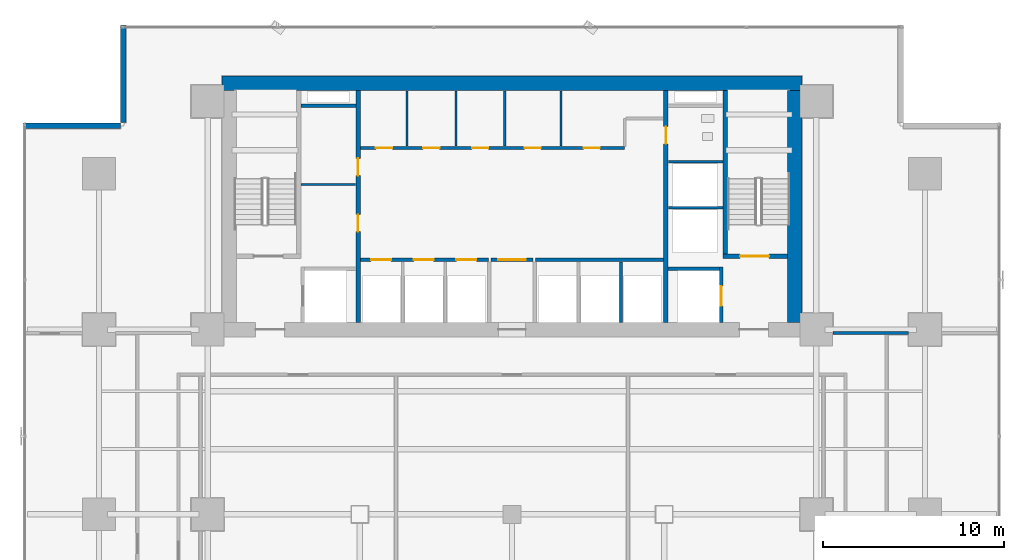
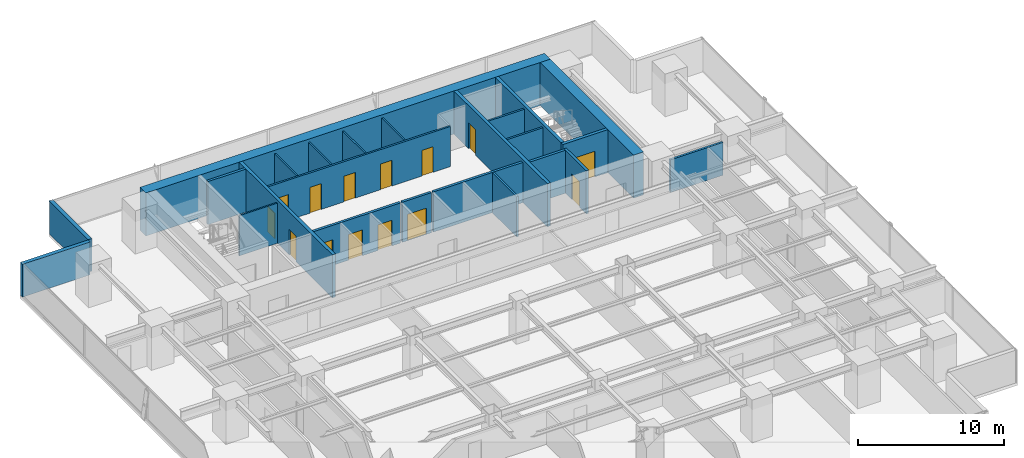
# One storey, part 26 of 34: 24 walls, 14 doors, 14 openings.
"""IFC4 building model written with IfcOpenShell, lengths in metres."""

from ifc_helpers import new_model, si_unit, direction, frame, frame_2d, origin, place, context, subcontext, project, spatial, rectangle, extrude, source, transform, mapped, material, layer, layer_set, type_object, element, fill, save


model = new_model("IFC4")

# Units and contexts
model_context = context("Model", 3, precision=1e-05, world=origin(), true_north=direction((0.0, 1.0)))
body_context = subcontext(model_context, "Body", "Model", "MODEL_VIEW")
ifc_project = project(units=[si_unit("LENGTHUNIT", "METRE"), si_unit("AREAUNIT", "SQUARE_METRE"), si_unit("VOLUMEUNIT", "CUBIC_METRE"), si_unit("PLANEANGLEUNIT", "RADIAN"), si_unit("MASSUNIT", "GRAM", prefix="KILO")], contexts=[model_context])

# Site, building, storey
site_placement = place(None, origin())
site = spatial("IfcSite", under=ifc_project, at=site_placement, CompositionType="ELEMENT")
building_placement = place(site_placement, origin())
building = spatial("IfcBuilding", under=site, at=building_placement, Name="Sumidabori Civic Tower", CompositionType="ELEMENT")
storey_placement = place(building_placement, frame((0.0, 0.0, 56.0)))
storey = spatial("IfcBuildingStorey", under=building, at=storey_placement, Name="L14", CompositionType="ELEMENT", Elevation=56.0)

# Walls
ifc_material_1 = material(Name="Concrete C60/75", Category="concrete")
ifc_layer_1 = layer(ifc_material_1, 0.800048828125, Name="Concrete C60/75")
ifc_layer_set_1 = layer_set([ifc_layer_1], Name="Concrete C60/75")
wall_type_1 = type_object("IfcWallType", Name="WL-CORE-800", PredefinedType="SHEAR", material=ifc_layer_set_1)
shared_shape_1 = source(origin(), body_context, "Body", "SweptSolid", [
    extrude(rectangle(XDim=32.0, YDim=0.800048828125, at=frame_2d((16.0, 0.0))), origin(), (0.0, 0.0, 1.0), 3.60009765625),
])
wall_1_placement = place(storey_placement, frame((-16.0, 23.800048828125, 0.0), z_axis=(0.0, 0.0, 1.0), x_axis=(1.0, 0.0, 0.0)))
element("IfcWall", 1, at=wall_1_placement, inside=storey, type_object=wall_type_1, Name="Core Shear Wall L14 N", PredefinedType="SHEAR", context=body_context, shape_type="MappedRepresentation", body=[
    mapped(shared_shape_1, transform((0.0, 0.0, 0.0), x_axis=(1.0, 0.0, 0.0), y_axis=(0.0, 1.0, 0.0), z_axis=(0.0, 0.0, 1.0), scale=1.0)),
])
shared_shape_2 = source(origin(), body_context, "Body", "SweptSolid", [
    extrude(rectangle(XDim=12.7998046875, YDim=0.800048828125, at=frame_2d((6.39990234375, 0.0))), origin(), (0.0, 0.0, 1.0), 3.60009765625),
])
wall_2_placement = place(storey_placement, frame((15.60009765625, 10.60009765625, 0.0), z_axis=(0.0, 0.0, 1.0), x_axis=(0.0, 1.0, 0.0)))
element("IfcWall", 2, at=wall_2_placement, inside=storey, type_object=wall_type_1, Name="Core Shear Wall L14 E", PredefinedType="SHEAR", context=body_context, shape_type="MappedRepresentation", body=[
    mapped(shared_shape_2, transform((0.0, 0.0, 0.0), x_axis=(1.0, 0.0, 0.0), y_axis=(0.0, 1.0, 0.0), z_axis=(0.0, 0.0, 1.0), scale=1.0)),
])

# Wall, openings, doors
ifc_material_2 = material(Name="Concrete C50/60", Category="concrete")
ifc_layer_2 = layer(ifc_material_2, 0.25, Name="Concrete C50/60")
ifc_layer_set_2 = layer_set([ifc_layer_2], Name="Concrete C50/60")
wall_type_2 = type_object("IfcWallType", Name="WL-SHAFT-250", PredefinedType="SHEAR", material=ifc_layer_set_2)
shared_shape_3 = source(origin(), body_context, "Body", "SweptSolid", [
    extrude(rectangle(XDim=12.7998046875, YDim=0.25, at=frame_2d((6.39990234375, 0.0))), origin(), (0.0, 0.0, 1.0), 3.60009765625),
])
wall_3_placement = place(storey_placement, frame((-8.5, 10.60009765625, 0.0), z_axis=(0.0, 0.0, 1.0), x_axis=(0.0, 1.0, 0.0)))
wall_3 = element("IfcWall", 3, at=wall_3_placement, inside=storey, type_object=wall_type_2, Name="Core Shear Wall L14 WEB-W", PredefinedType="SHEAR", context=body_context, shape_type="MappedRepresentation", body=[
    mapped(shared_shape_3, transform((0.0, 0.0, 0.0), x_axis=(1.0, 0.0, 0.0), y_axis=(0.0, 1.0, 0.0), z_axis=(0.0, 0.0, 1.0), scale=1.0)),
])
opening_1_placement = place(wall_3_placement, frame((5.0, 0.0, 0.0)))
opening_1 = element("IfcOpeningElement", 4, at=opening_1_placement, cuts=wall_3, Name="Opening DR-FD2", PredefinedType="OPENING", context=body_context, shape_type="SweptSolid", body=[
    extrude(rectangle(XDim=0.949951171875, YDim=2.14990234375, at=frame_2d((0.47509765625, 1.074951171875))), frame((0.0, 0.136962890625, 0.0), z_axis=(0.0, -1.0, 0.0), x_axis=(1.0, 0.0, 0.0)), (0.0, 0.0, 1.0), 0.27392578125),
])
opening_2_placement = place(wall_3_placement, frame((8.10009765625, 0.0, 0.0)))
opening_2 = element("IfcOpeningElement", 5, at=opening_2_placement, cuts=wall_3, Name="Opening DR-FD2", PredefinedType="OPENING", context=body_context, shape_type="SweptSolid", body=[
    extrude(rectangle(XDim=0.949951171875, YDim=2.14990234375, at=frame_2d((0.47509765625, 1.074951171875))), frame((0.0, 0.136962890625, 0.0), z_axis=(0.0, -1.0, 0.0), x_axis=(1.0, 0.0, 0.0)), (0.0, 0.0, 1.0), 0.27392578125),
])
ifc_material_3 = material(Name="Steel SN490", Category="steel")
door_type_1 = type_object("IfcDoorType", Name="DR-FD2", OperationType="NOTDEFINED", PredefinedType="DOOR", material=ifc_material_3)
shared_shape_4 = source(origin(), body_context, "Body", "SweptSolid", [
    extrude(rectangle(XDim=0.949951171875, YDim=2.14990234375, at=frame_2d((0.47509765625, 1.074951171875))), frame((0.0, 0.02490234375, 0.0), z_axis=(0.0, -1.0, 0.0), x_axis=(1.0, 0.0, 0.0)), (0.0, 0.0, 1.0), 0.050048828125),
])
door_1_placement = place(opening_1_placement, origin())
door_1 = element("IfcDoor", 6, at=door_1_placement, inside=storey, type_object=door_type_1, Name="Door DR:L14:CW-S1", OperationType="SINGLE_SWING_LEFT", OverallHeight=2.14990234375, OverallWidth=0.949951171875, PredefinedType="DOOR", context=body_context, shape_type="MappedRepresentation", body=[
    mapped(shared_shape_4, transform((0.0, 0.0, 0.0), x_axis=(1.0, 0.0, 0.0), y_axis=(0.0, 1.0, 0.0), z_axis=(0.0, 0.0, 1.0), scale=1.0)),
])
fill(opening_1, door_1)
door_2_placement = place(opening_2_placement, origin())
door_2 = element("IfcDoor", 7, at=door_2_placement, inside=storey, type_object=door_type_1, Name="Door DR:L14:CW-S2", OperationType="SINGLE_SWING_RIGHT", OverallHeight=2.14990234375, OverallWidth=0.949951171875, PredefinedType="DOOR", context=body_context, shape_type="MappedRepresentation", body=[
    mapped(shared_shape_4, transform((0.0, 0.0, 0.0), x_axis=(1.0, 0.0, 0.0), y_axis=(0.0, 1.0, 0.0), z_axis=(0.0, 0.0, 1.0), scale=1.0)),
])
fill(opening_2, door_2)

# Wall, opening, door
wall_4_placement = place(storey_placement, frame((8.5, 10.60009765625, 0.0), z_axis=(0.0, 0.0, 1.0), x_axis=(0.0, 1.0, 0.0)))
wall_4 = element("IfcWall", 8, at=wall_4_placement, inside=storey, type_object=wall_type_2, Name="Core Shear Wall L14 WEB-E", PredefinedType="SHEAR", context=body_context, shape_type="MappedRepresentation", body=[
    mapped(shared_shape_3, transform((0.0, 0.0, 0.0), x_axis=(1.0, 0.0, 0.0), y_axis=(0.0, 1.0, 0.0), z_axis=(0.0, 0.0, 1.0), scale=1.0)),
])
opening_3_placement = place(wall_4_placement, frame((9.85009765625, 0.0, 0.0)))
opening_3 = element("IfcOpeningElement", 9, at=opening_3_placement, cuts=wall_4, Name="Opening DR-2", PredefinedType="OPENING", context=body_context, shape_type="SweptSolid", body=[
    extrude(rectangle(XDim=0.949951171875, YDim=2.14990234375, at=frame_2d((0.47509765625, 1.074951171875))), frame((0.0, 0.136962890625, 0.0), z_axis=(0.0, -1.0, 0.0), x_axis=(1.0, 0.0, 0.0)), (0.0, 0.0, 1.0), 0.27392578125),
])
ifc_material_4 = material(Name="Japanese Hinoki Timber", Category="wood")
door_type_2 = type_object("IfcDoorType", Name="DR-INT-950", OperationType="NOTDEFINED", PredefinedType="DOOR", material=ifc_material_4)
shared_shape_5 = source(origin(), body_context, "Body", "SweptSolid", [
    extrude(rectangle(XDim=0.949951171875, YDim=2.14990234375, at=frame_2d((0.47509765625, 1.074951171875))), frame((0.0, 0.02490234375, 0.0), z_axis=(0.0, -1.0, 0.0), x_axis=(1.0, 0.0, 0.0)), (0.0, 0.0, 1.0), 0.050048828125),
])
door_3_placement = place(opening_3_placement, origin())
door_3 = element("IfcDoor", 10, at=door_3_placement, inside=storey, type_object=door_type_2, Name="Door DR:L14:WC-ACC", OperationType="SINGLE_SWING_RIGHT", OverallHeight=2.14990234375, OverallWidth=0.949951171875, PredefinedType="DOOR", context=body_context, shape_type="MappedRepresentation", body=[
    mapped(shared_shape_5, transform((0.0, 0.0, 0.0), x_axis=(1.0, 0.0, 0.0), y_axis=(0.0, 1.0, 0.0), z_axis=(0.0, 0.0, 1.0), scale=1.0)),
])
fill(opening_3, door_3)

shared_shape_6 = source(origin(), body_context, "Body", "SweptSolid", [
    extrude(rectangle(XDim=3.554931640625, YDim=0.25, at=frame_2d((1.77734375, 0.0))), origin(), (0.0, 0.0, 1.0), 3.60009765625),
])
wall_5_placement = place(storey_placement, frame((11.64501953125, 14.25, 0.0), z_axis=(0.0, 0.0, 1.0), x_axis=(1.0, 0.0, 0.0)))
wall_5 = element("IfcWall", 11, at=wall_5_placement, inside=storey, type_object=wall_type_2, Name="Core Shear Wall L14 ST2-S", PredefinedType="SHEAR", context=body_context, shape_type="MappedRepresentation", body=[
    mapped(shared_shape_6, transform((0.0, 0.0, 0.0), x_axis=(1.0, 0.0, 0.0), y_axis=(0.0, 1.0, 0.0), z_axis=(0.0, 0.0, 1.0), scale=1.0)),
])
opening_4_placement = place(wall_5_placement, frame((0.949951171875, 0.0, 0.0)))
opening_4 = element("IfcOpeningElement", 12, at=opening_4_placement, cuts=wall_5, Name="Opening DR-FD4", PredefinedType="OPENING", context=body_context, shape_type="SweptSolid", body=[
    extrude(rectangle(XDim=1.60009765625, YDim=2.14990234375, at=frame_2d((0.800048828125, 1.074951171875))), frame((0.0, 0.136962890625, 0.0), z_axis=(0.0, -1.0, 0.0), x_axis=(1.0, 0.0, 0.0)), (0.0, 0.0, 1.0), 0.27392578125),
])
door_type_3 = type_object("IfcDoorType", Name="DR-FD4", OperationType="DOUBLE_DOOR_SINGLE_SWING", PredefinedType="DOOR", material=ifc_material_3)
shared_shape_7 = source(origin(), body_context, "Body", "SweptSolid", [
    extrude(rectangle(XDim=1.60009765625, YDim=2.14990234375, at=frame_2d((0.800048828125, 1.074951171875))), frame((0.0, 0.02490234375, 0.0), z_axis=(0.0, -1.0, 0.0), x_axis=(1.0, 0.0, 0.0)), (0.0, 0.0, 1.0), 0.050048828125),
])
door_4_placement = place(opening_4_placement, origin())
door_4 = element("IfcDoor", 13, at=door_4_placement, inside=storey, type_object=door_type_3, Name="Door DR:L14:ST2", OperationType="DOUBLE_DOOR_SINGLE_SWING", OverallHeight=2.14990234375, OverallWidth=1.60009765625, PredefinedType="DOOR", context=body_context, shape_type="MappedRepresentation", body=[
    mapped(shared_shape_7, transform((0.0, 0.0, 0.0), x_axis=(1.0, 0.0, 0.0), y_axis=(0.0, 1.0, 0.0), z_axis=(0.0, 0.0, 1.0), scale=1.0)),
])
fill(opening_4, door_4)

# Wall
shared_shape_8 = source(origin(), body_context, "Body", "SweptSolid", [
    extrude(rectangle(XDim=9.02490234375, YDim=0.25, at=frame_2d((4.512451171875, 0.0))), origin(), (0.0, 0.0, 1.0), 3.60009765625),
])
wall_6_placement = place(storey_placement, frame((11.77001953125, 14.375, 0.0), z_axis=(0.0, 0.0, 1.0), x_axis=(0.0, 1.0, 0.0)))
element("IfcWall", 14, at=wall_6_placement, inside=storey, type_object=wall_type_2, Name="Core Shear Wall L14 ST2-W", PredefinedType="SHEAR", context=body_context, shape_type="MappedRepresentation", body=[
    mapped(shared_shape_8, transform((0.0, 0.0, 0.0), x_axis=(1.0, 0.0, 0.0), y_axis=(0.0, 1.0, 0.0), z_axis=(0.0, 0.0, 1.0), scale=1.0)),
])

# Wall, opening, door
ifc_layer_3 = layer(ifc_material_2, 0.199951171875, Name="Concrete C50/60")
ifc_layer_set_3 = layer_set([ifc_layer_3], Name="Concrete C50/60")
wall_type_3 = type_object("IfcWallType", Name="WL-SHAFT-200", PredefinedType="SHEAR", material=ifc_layer_set_3)
shared_shape_9 = source(origin(), body_context, "Body", "SweptSolid", [
    extrude(rectangle(XDim=3.0498046875, YDim=0.199951171875, at=frame_2d((1.52490234375, 0.0))), origin(), (0.0, 0.0, 1.0), 3.60009765625),
])
wall_7_placement = place(storey_placement, frame((11.550048828125, 10.60009765625, 0.0), z_axis=(0.0, 0.0, 1.0), x_axis=(0.0, 1.0, 0.0)))
wall_7 = element("IfcWall", 15, at=wall_7_placement, inside=storey, type_object=wall_type_3, Name="Core Shear Wall L14 EL2-E", PredefinedType="SHEAR", context=body_context, shape_type="MappedRepresentation", body=[
    mapped(shared_shape_9, transform((0.0, 0.0, 0.0), x_axis=(1.0, 0.0, 0.0), y_axis=(0.0, 1.0, 0.0), z_axis=(0.0, 0.0, 1.0), scale=1.0)),
])
opening_5_placement = place(wall_7_placement, frame((0.89990234375, 0.0, 0.0)))
opening_5 = element("IfcOpeningElement", 16, at=opening_5_placement, cuts=wall_7, Name="Opening LD-2", PredefinedType="OPENING", context=body_context, shape_type="SweptSolid", body=[
    extrude(rectangle(XDim=1.10009765625, YDim=2.14990234375, at=frame_2d((0.550048828125, 1.074951171875))), frame((0.0, 0.11181640625, 0.0), z_axis=(0.0, -1.0, 0.0), x_axis=(1.0, 0.0, 0.0)), (0.0, 0.0, 1.0), 0.223876953125),
])
ifc_material_5 = material(Name="Stainless Steel Hairline Finish", Category="steel")
door_type_4 = type_object("IfcDoorType", Name="DR-LD2", OperationType="DOUBLE_DOOR_SLIDING", PredefinedType="DOOR", material=ifc_material_5)
shared_shape_10 = source(origin(), body_context, "Body", "SweptSolid", [
    extrude(rectangle(XDim=1.10009765625, YDim=2.14990234375, at=frame_2d((0.550048828125, 1.074951171875))), frame((0.0, 0.02490234375, 0.0), z_axis=(0.0, -1.0, 0.0), x_axis=(1.0, 0.0, 0.0)), (0.0, 0.0, 1.0), 0.050048828125),
])
door_5_placement = place(opening_5_placement, origin())
door_5 = element("IfcDoor", 17, at=door_5_placement, inside=storey, type_object=door_type_4, Name="Door DR:L14:LD-EL2", OperationType="DOUBLE_DOOR_SLIDING", OverallHeight=2.14990234375, OverallWidth=1.10009765625, PredefinedType="DOOR", context=body_context, shape_type="MappedRepresentation", body=[
    mapped(shared_shape_10, transform((0.0, 0.0, 0.0), x_axis=(1.0, 0.0, 0.0), y_axis=(0.0, 1.0, 0.0), z_axis=(0.0, 0.0, 1.0), scale=1.0)),
])
fill(opening_5, door_5)

# Walls
shared_shape_11 = source(origin(), body_context, "Body", "SweptSolid", [
    extrude(rectangle(XDim=2.824951171875, YDim=0.199951171875, at=frame_2d((1.41259765625, 0.0))), origin(), (0.0, 0.0, 1.0), 3.60009765625),
])
wall_8_placement = place(storey_placement, frame((8.625, 13.550048828125, 0.0), z_axis=(0.0, 0.0, 1.0), x_axis=(1.0, 0.0, 0.0)))
element("IfcWall", 18, at=wall_8_placement, inside=storey, type_object=wall_type_3, Name="Core Shear Wall L14 EL2-N", PredefinedType="SHEAR", context=body_context, shape_type="MappedRepresentation", body=[
    mapped(shared_shape_11, transform((0.0, 0.0, 0.0), x_axis=(1.0, 0.0, 0.0), y_axis=(0.0, 1.0, 0.0), z_axis=(0.0, 0.0, 1.0), scale=1.0)),
])
shared_shape_12 = source(origin(), body_context, "Body", "SweptSolid", [
    extrude(rectangle(XDim=3.02001953125, YDim=0.199951171875, at=frame_2d((1.510009765625, 0.0))), origin(), (0.0, 0.0, 1.0), 3.60009765625),
])
wall_9_placement = place(storey_placement, frame((-11.64501953125, 22.550048828125, 0.0), z_axis=(0.0, 0.0, 1.0), x_axis=(1.0, 0.0, 0.0)))
element("IfcWall", 19, at=wall_9_placement, inside=storey, type_object=wall_type_3, Name="Core Shear Wall L14 RIS1-S", PredefinedType="SHEAR", context=body_context, shape_type="MappedRepresentation", body=[
    mapped(shared_shape_12, transform((0.0, 0.0, 0.0), x_axis=(1.0, 0.0, 0.0), y_axis=(0.0, 1.0, 0.0), z_axis=(0.0, 0.0, 1.0), scale=1.0)),
])
ifc_material_6 = material(Name="Precast concrete C40/50", Category="concrete")
ifc_layer_4 = layer(ifc_material_6, 0.300048828125, Name="Precast concrete C40/50")
ifc_layer_set_4 = layer_set([ifc_layer_4], Name="Precast concrete C40/50")
wall_type_4 = type_object("IfcWallType", Name="WL-EXT-POD300", PredefinedType="STANDARD", material=ifc_layer_set_4)
shared_shape_13 = source(origin(), body_context, "Body", "SweptSolid", [
    extrude(rectangle(XDim=5.35986328125, YDim=0.300048828125, at=frame_2d((2.679931640625, 0.0))), origin(), (0.0, 0.0, 1.0), 2.739990234375),
])
for number, where, z_axis, x_axis, name in (
    (20, (-21.449951171875, 26.97998046875, 0.0), (0.0, 0.0, 1.0), (0.0, -1.0, 0.0), "Notched Corner Spandrel Band L14-08"),
    (21, (-21.6201171875, 21.449951171875, 0.0), (0.0, 0.0, 1.0), (-1.0, 0.0, 0.0), "Notched Corner Spandrel Band L14-09"),
):
    element("IfcWall", number, at=place(storey_placement, frame(where, z_axis=z_axis, x_axis=x_axis)), inside=storey, type_object=wall_type_4, Name=name, PredefinedType="STANDARD", context=body_context, shape_type="MappedRepresentation", body=[
        mapped(shared_shape_13, transform((0.0, 0.0, 0.0), x_axis=(1.0, 0.0, 0.0), y_axis=(0.0, 1.0, 0.0), z_axis=(0.0, 0.0, 1.0), scale=1.0)),
    ])
ifc_material_7 = material(Name="Gypsum Plasterboard Acoustic Partition")
ifc_layer_5 = layer(ifc_material_7, 0.14990234375, Name="Gypsum Plasterboard Acoustic Partition")
ifc_layer_set_5 = layer_set([ifc_layer_5], Name="Gypsum Plasterboard Acoustic Partition")
wall_type_5 = type_object("IfcWallType", Name="WL-PART-150", PredefinedType="PARTITIONING", material=ifc_layer_set_5)
shared_shape_14 = source(origin(), body_context, "Body", "SweptSolid", [
    extrude(rectangle(XDim=3.010009765625, YDim=0.14990234375, at=frame_2d((1.5048828125, 0.0))), origin(), (0.0, 0.0, 1.0), 3.360107421875),
])
for number, where, z_axis, x_axis, name in (
    (22, (8.6298828125, 16.919921875, 0.0), (0.0, 0.0, 1.0), (1.0, 0.0, 0.0), "Interior Partition WL:L14:DIV-OBS1"),
    (23, (8.6298828125, 19.469970703125, 0.0), (0.0, 0.0, 1.0), (1.0, 0.0, 0.0), "Interior Partition WL:L14:DIV-OBS2"),
):
    element("IfcWall", number, at=place(storey_placement, frame(where, z_axis=z_axis, x_axis=x_axis)), inside=storey, type_object=wall_type_5, Name=name, PredefinedType="PARTITIONING", context=body_context, shape_type="MappedRepresentation", body=[
        mapped(shared_shape_14, transform((0.0, 0.0, 0.0), x_axis=(1.0, 0.0, 0.0), y_axis=(0.0, 1.0, 0.0), z_axis=(0.0, 0.0, 1.0), scale=1.0)),
    ])

# Wall, openings, doors
ifc_material_8 = material(Name="Gypsum Plasterboard Fire Partition")
ifc_layer_6 = layer(ifc_material_8, 0.199951171875, Name="Gypsum Plasterboard Fire Partition")
ifc_layer_set_6 = layer_set([ifc_layer_6], Name="Gypsum Plasterboard Fire Partition")
wall_type_6 = type_object("IfcWallType", Name="WL-PART-FIRE", PredefinedType="PARTITIONING", material=ifc_layer_set_6)
shared_shape_15 = source(origin(), body_context, "Body", "SweptSolid", [
    extrude(rectangle(XDim=7.070068359375, YDim=0.199951171875, at=frame_2d((3.53515625, 0.0))), origin(), (0.0, 0.0, 1.0), 3.360107421875),
])
wall_10_placement = place(storey_placement, frame((-8.3701171875, 14.050048828125, 0.0), z_axis=(0.0, 0.0, 1.0), x_axis=(1.0, 0.0, 0.0)))
wall_10 = element("IfcWall", 24, at=wall_10_placement, inside=storey, type_object=wall_type_6, Name="Interior Partition WL:L14:CBAND-SW", PredefinedType="PARTITIONING", context=body_context, shape_type="MappedRepresentation", body=[
    mapped(shared_shape_15, transform((0.0, 0.0, 0.0), x_axis=(1.0, 0.0, 0.0), y_axis=(0.0, 1.0, 0.0), z_axis=(0.0, 0.0, 1.0), scale=1.0)),
])
opening_6_placement = place(wall_10_placement, frame((0.60009765625, 0.0, 0.0)))
opening_6 = element("IfcOpeningElement", 25, at=opening_6_placement, cuts=wall_10, Name="Opening LD-1", PredefinedType="OPENING", context=body_context, shape_type="SweptSolid", body=[
    extrude(rectangle(XDim=1.10009765625, YDim=2.14990234375, at=frame_2d((0.550048828125, 1.074951171875))), frame((0.0, 0.11181640625, 0.0), z_axis=(0.0, -1.0, 0.0), x_axis=(1.0, 0.0, 0.0)), (0.0, 0.0, 1.0), 0.223876953125),
])
opening_7_placement = place(wall_10_placement, frame((2.949951171875, 0.0, 0.0)))
opening_7 = element("IfcOpeningElement", 26, at=opening_7_placement, cuts=wall_10, Name="Opening LD-1", PredefinedType="OPENING", context=body_context, shape_type="SweptSolid", body=[
    extrude(rectangle(XDim=1.10009765625, YDim=2.14990234375, at=frame_2d((0.550048828125, 1.074951171875))), frame((0.0, 0.11181640625, 0.0), z_axis=(0.0, -1.0, 0.0), x_axis=(1.0, 0.0, 0.0)), (0.0, 0.0, 1.0), 0.223876953125),
])
opening_8_placement = place(wall_10_placement, frame((5.300048828125, 0.0, 0.0)))
opening_8 = element("IfcOpeningElement", 27, at=opening_8_placement, cuts=wall_10, Name="Opening LD-1", PredefinedType="OPENING", context=body_context, shape_type="SweptSolid", body=[
    extrude(rectangle(XDim=1.10009765625, YDim=2.14990234375, at=frame_2d((0.550048828125, 1.074951171875))), frame((0.0, 0.11181640625, 0.0), z_axis=(0.0, -1.0, 0.0), x_axis=(1.0, 0.0, 0.0)), (0.0, 0.0, 1.0), 0.223876953125),
])
door_type_5 = type_object("IfcDoorType", Name="DR-LD1", OperationType="DOUBLE_DOOR_SLIDING", PredefinedType="DOOR", material=ifc_material_5)
door_6_placement = place(opening_6_placement, origin())
door_6 = element("IfcDoor", 28, at=door_6_placement, inside=storey, type_object=door_type_5, Name="Door DR:L14:LD-PLL1", OperationType="DOUBLE_DOOR_SLIDING", OverallHeight=2.14990234375, OverallWidth=1.10009765625, PredefinedType="DOOR", context=body_context, shape_type="MappedRepresentation", body=[
    mapped(shared_shape_10, transform((0.0, 0.0, 0.0), x_axis=(1.0, 0.0, 0.0), y_axis=(0.0, 1.0, 0.0), z_axis=(0.0, 0.0, 1.0), scale=1.0)),
])
fill(opening_6, door_6)
door_7_placement = place(opening_7_placement, origin())
door_7 = element("IfcDoor", 29, at=door_7_placement, inside=storey, type_object=door_type_5, Name="Door DR:L14:LD-PLL2", OperationType="DOUBLE_DOOR_SLIDING", OverallHeight=2.14990234375, OverallWidth=1.10009765625, PredefinedType="DOOR", context=body_context, shape_type="MappedRepresentation", body=[
    mapped(shared_shape_10, transform((0.0, 0.0, 0.0), x_axis=(1.0, 0.0, 0.0), y_axis=(0.0, 1.0, 0.0), z_axis=(0.0, 0.0, 1.0), scale=1.0)),
])
fill(opening_7, door_7)
door_8_placement = place(opening_8_placement, origin())
door_8 = element("IfcDoor", 30, at=door_8_placement, inside=storey, type_object=door_type_5, Name="Door DR:L14:LD-PLL3", OperationType="DOUBLE_DOOR_SLIDING", OverallHeight=2.14990234375, OverallWidth=1.10009765625, PredefinedType="DOOR", context=body_context, shape_type="MappedRepresentation", body=[
    mapped(shared_shape_10, transform((0.0, 0.0, 0.0), x_axis=(1.0, 0.0, 0.0), y_axis=(0.0, 1.0, 0.0), z_axis=(0.0, 0.0, 1.0), scale=1.0)),
])
fill(opening_8, door_8)

# Wall
wall_11_placement = place(storey_placement, frame((1.300048828125, 14.050048828125, 0.0), z_axis=(0.0, 0.0, 1.0), x_axis=(1.0, 0.0, 0.0)))
element("IfcWall", 31, at=wall_11_placement, inside=storey, type_object=wall_type_6, Name="Interior Partition WL:L14:CBAND-SE", PredefinedType="PARTITIONING", context=body_context, shape_type="MappedRepresentation", body=[
    mapped(shared_shape_15, transform((0.0, 0.0, 0.0), x_axis=(1.0, 0.0, 0.0), y_axis=(0.0, 1.0, 0.0), z_axis=(0.0, 0.0, 1.0), scale=1.0)),
])

# Wall, opening, door
shared_shape_16 = source(origin(), body_context, "Body", "SweptSolid", [
    extrude(rectangle(XDim=2.2998046875, YDim=0.199951171875, at=frame_2d((1.14990234375, 0.0))), origin(), (0.0, 0.0, 1.0), 3.360107421875),
])
wall_12_placement = place(storey_placement, frame((-1.14990234375, 14.050048828125, 0.0), z_axis=(0.0, 0.0, 1.0), x_axis=(1.0, 0.0, 0.0)))
wall_12 = element("IfcWall", 32, at=wall_12_placement, inside=storey, type_object=wall_type_6, Name="Interior Partition WL:L14:THROAT-N", PredefinedType="PARTITIONING", context=body_context, shape_type="MappedRepresentation", body=[
    mapped(shared_shape_16, transform((0.0, 0.0, 0.0), x_axis=(1.0, 0.0, 0.0), y_axis=(0.0, 1.0, 0.0), z_axis=(0.0, 0.0, 1.0), scale=1.0)),
])
opening_9_placement = place(wall_12_placement, frame((0.39990234375, 0.0, 0.0)))
opening_9 = element("IfcOpeningElement", 33, at=opening_9_placement, cuts=wall_12, Name="Opening DR-FD3", PredefinedType="OPENING", context=body_context, shape_type="SweptSolid", body=[
    extrude(rectangle(XDim=1.5, YDim=2.199951171875, at=frame_2d((0.75, 1.10009765625))), frame((0.0, 0.11181640625, 0.0), z_axis=(0.0, -1.0, 0.0), x_axis=(1.0, 0.0, 0.0)), (0.0, 0.0, 1.0), 0.223876953125),
])
door_type_6 = type_object("IfcDoorType", Name="DR-FD-DBL", OperationType="DOUBLE_DOOR_SINGLE_SWING", PredefinedType="DOOR", material=ifc_material_3)
shared_shape_17 = source(origin(), body_context, "Body", "SweptSolid", [
    extrude(rectangle(XDim=1.5, YDim=2.199951171875, at=frame_2d((0.75, 1.10009765625))), frame((0.0, 0.02490234375, 0.0), z_axis=(0.0, -1.0, 0.0), x_axis=(1.0, 0.0, 0.0)), (0.0, 0.0, 1.0), 0.050048828125),
])
door_9_placement = place(opening_9_placement, origin())
door_9 = element("IfcDoor", 34, at=door_9_placement, inside=storey, type_object=door_type_6, Name="Door DR:L14:THROAT-IN", OperationType="DOUBLE_DOOR_SINGLE_SWING", OverallHeight=2.199951171875, OverallWidth=1.5, PredefinedType="DOOR", context=body_context, shape_type="MappedRepresentation", body=[
    mapped(shared_shape_17, transform((0.0, 0.0, 0.0), x_axis=(1.0, 0.0, 0.0), y_axis=(0.0, 1.0, 0.0), z_axis=(0.0, 0.0, 1.0), scale=1.0)),
])
fill(opening_9, door_9)

# Wall, openings, doors
shared_shape_18 = source(origin(), body_context, "Body", "SweptSolid", [
    extrude(rectangle(XDim=14.590087890625, YDim=0.14990234375, at=frame_2d((7.294921875, 0.0))), origin(), (0.0, 0.0, 1.0), 3.360107421875),
])
wall_13_placement = place(storey_placement, frame((-8.3701171875, 20.219970703125, 0.0), z_axis=(0.0, 0.0, 1.0), x_axis=(1.0, 0.0, 0.0)))
wall_13 = element("IfcWall", 35, at=wall_13_placement, inside=storey, type_object=wall_type_5, Name="Interior Partition WL:L14:CBAND-M", PredefinedType="PARTITIONING", context=body_context, shape_type="MappedRepresentation", body=[
    mapped(shared_shape_18, transform((0.0, 0.0, 0.0), x_axis=(1.0, 0.0, 0.0), y_axis=(0.0, 1.0, 0.0), z_axis=(0.0, 0.0, 1.0), scale=1.0)),
])
opening_10_placement = place(wall_13_placement, frame((0.860107421875, 0.0, 0.0)))
opening_10 = element("IfcOpeningElement", 36, at=opening_10_placement, cuts=wall_13, Name="Opening DR-1", PredefinedType="OPENING", context=body_context, shape_type="SweptSolid", body=[
    extrude(rectangle(XDim=0.89990234375, YDim=2.14990234375, at=frame_2d((0.449951171875, 1.074951171875))), frame((0.0, 0.0869140625, 0.0), z_axis=(0.0, -1.0, 0.0), x_axis=(1.0, 0.0, 0.0)), (0.0, 0.0, 1.0), 0.173828125),
])
opening_11_placement = place(wall_13_placement, frame((3.469970703125, 0.0, 0.0)))
opening_11 = element("IfcOpeningElement", 37, at=opening_11_placement, cuts=wall_13, Name="Opening DR-1", PredefinedType="OPENING", context=body_context, shape_type="SweptSolid", body=[
    extrude(rectangle(XDim=0.89990234375, YDim=2.14990234375, at=frame_2d((0.449951171875, 1.074951171875))), frame((0.0, 0.0869140625, 0.0), z_axis=(0.0, -1.0, 0.0), x_axis=(1.0, 0.0, 0.0)), (0.0, 0.0, 1.0), 0.173828125),
])
opening_12_placement = place(wall_13_placement, frame((6.169921875, 0.0, 0.0)))
opening_12 = element("IfcOpeningElement", 38, at=opening_12_placement, cuts=wall_13, Name="Opening DR-1", PredefinedType="OPENING", context=body_context, shape_type="SweptSolid", body=[
    extrude(rectangle(XDim=0.89990234375, YDim=2.14990234375, at=frame_2d((0.449951171875, 1.074951171875))), frame((0.0, 0.0869140625, 0.0), z_axis=(0.0, -1.0, 0.0), x_axis=(1.0, 0.0, 0.0)), (0.0, 0.0, 1.0), 0.173828125),
])
opening_13_placement = place(wall_13_placement, frame((9.070068359375, 0.0, 0.0)))
opening_13 = element("IfcOpeningElement", 39, at=opening_13_placement, cuts=wall_13, Name="Opening DR-1", PredefinedType="OPENING", context=body_context, shape_type="SweptSolid", body=[
    extrude(rectangle(XDim=0.89990234375, YDim=2.14990234375, at=frame_2d((0.449951171875, 1.074951171875))), frame((0.0, 0.0869140625, 0.0), z_axis=(0.0, -1.0, 0.0), x_axis=(1.0, 0.0, 0.0)), (0.0, 0.0, 1.0), 0.173828125),
])
opening_14_placement = place(wall_13_placement, frame((12.320068359375, 0.0, 0.0)))
opening_14 = element("IfcOpeningElement", 40, at=opening_14_placement, cuts=wall_13, Name="Opening DR-1", PredefinedType="OPENING", context=body_context, shape_type="SweptSolid", body=[
    extrude(rectangle(XDim=0.89990234375, YDim=2.14990234375, at=frame_2d((0.449951171875, 1.074951171875))), frame((0.0, 0.0869140625, 0.0), z_axis=(0.0, -1.0, 0.0), x_axis=(1.0, 0.0, 0.0)), (0.0, 0.0, 1.0), 0.173828125),
])
door_type_7 = type_object("IfcDoorType", Name="DR-INT-900", OperationType="NOTDEFINED", PredefinedType="DOOR", material=ifc_material_4)
shared_shape_19 = source(origin(), body_context, "Body", "SweptSolid", [
    extrude(rectangle(XDim=0.89990234375, YDim=2.14990234375, at=frame_2d((0.449951171875, 1.074951171875))), frame((0.0, 0.02490234375, 0.0), z_axis=(0.0, -1.0, 0.0), x_axis=(1.0, 0.0, 0.0)), (0.0, 0.0, 1.0), 0.050048828125),
])
door_10_placement = place(opening_10_placement, origin())
door_10 = element("IfcDoor", 41, at=door_10_placement, inside=storey, type_object=door_type_7, Name="Door DR:L14:CB-1", OperationType="SINGLE_SWING_LEFT", OverallHeight=2.14990234375, OverallWidth=0.89990234375, PredefinedType="DOOR", context=body_context, shape_type="MappedRepresentation", body=[
    mapped(shared_shape_19, transform((0.0, 0.0, 0.0), x_axis=(1.0, 0.0, 0.0), y_axis=(0.0, 1.0, 0.0), z_axis=(0.0, 0.0, 1.0), scale=1.0)),
])
fill(opening_10, door_10)
door_11_placement = place(opening_11_placement, origin())
door_11 = element("IfcDoor", 42, at=door_11_placement, inside=storey, type_object=door_type_7, Name="Door DR:L14:CB-2", OperationType="SINGLE_SWING_RIGHT", OverallHeight=2.14990234375, OverallWidth=0.89990234375, PredefinedType="DOOR", context=body_context, shape_type="MappedRepresentation", body=[
    mapped(shared_shape_19, transform((0.0, 0.0, 0.0), x_axis=(1.0, 0.0, 0.0), y_axis=(0.0, 1.0, 0.0), z_axis=(0.0, 0.0, 1.0), scale=1.0)),
])
fill(opening_11, door_11)
door_12_placement = place(opening_12_placement, origin())
door_12 = element("IfcDoor", 43, at=door_12_placement, inside=storey, type_object=door_type_7, Name="Door DR:L14:CB-3", OperationType="SINGLE_SWING_LEFT", OverallHeight=2.14990234375, OverallWidth=0.89990234375, PredefinedType="DOOR", context=body_context, shape_type="MappedRepresentation", body=[
    mapped(shared_shape_19, transform((0.0, 0.0, 0.0), x_axis=(1.0, 0.0, 0.0), y_axis=(0.0, 1.0, 0.0), z_axis=(0.0, 0.0, 1.0), scale=1.0)),
])
fill(opening_12, door_12)
door_13_placement = place(opening_13_placement, origin())
door_13 = element("IfcDoor", 44, at=door_13_placement, inside=storey, type_object=door_type_7, Name="Door DR:L14:CB-4", OperationType="SINGLE_SWING_RIGHT", OverallHeight=2.14990234375, OverallWidth=0.89990234375, PredefinedType="DOOR", context=body_context, shape_type="MappedRepresentation", body=[
    mapped(shared_shape_19, transform((0.0, 0.0, 0.0), x_axis=(1.0, 0.0, 0.0), y_axis=(0.0, 1.0, 0.0), z_axis=(0.0, 0.0, 1.0), scale=1.0)),
])
fill(opening_13, door_13)
door_14_placement = place(opening_14_placement, origin())
door_14 = element("IfcDoor", 45, at=door_14_placement, inside=storey, type_object=door_type_7, Name="Door DR:L14:CB-5", OperationType="SINGLE_SWING_LEFT", OverallHeight=2.14990234375, OverallWidth=0.89990234375, PredefinedType="DOOR", context=body_context, shape_type="MappedRepresentation", body=[
    mapped(shared_shape_19, transform((0.0, 0.0, 0.0), x_axis=(1.0, 0.0, 0.0), y_axis=(0.0, 1.0, 0.0), z_axis=(0.0, 0.0, 1.0), scale=1.0)),
])
fill(opening_14, door_14)

# Walls
shared_shape_20 = source(origin(), body_context, "Body", "SweptSolid", [
    extrude(rectangle(XDim=3.33984375, YDim=0.14990234375, at=frame_2d((1.669921875, 0.0))), origin(), (0.0, 0.0, 1.0), 3.360107421875),
])
wall_14_placement = place(storey_placement, frame((6.02001953125, 10.60009765625, 0.0), z_axis=(0.0, 0.0, 1.0), x_axis=(0.0, 1.0, 0.0)))
element("IfcWall", 46, at=wall_14_placement, inside=storey, type_object=wall_type_5, Name="Interior Partition WL:L14:DIV-PLM2", PredefinedType="PARTITIONING", context=body_context, shape_type="MappedRepresentation", body=[
    mapped(shared_shape_20, transform((0.0, 0.0, 0.0), x_axis=(1.0, 0.0, 0.0), y_axis=(0.0, 1.0, 0.0), z_axis=(0.0, 0.0, 1.0), scale=1.0)),
])
ifc_layer_7 = layer(ifc_material_7, 0.1201171875, Name="Gypsum Plasterboard Acoustic Partition")
ifc_layer_set_7 = layer_set([ifc_layer_7], Name="Gypsum Plasterboard Acoustic Partition")
wall_type_7 = type_object("IfcWallType", Name="WL-PART-120", PredefinedType="PARTITIONING", material=ifc_layer_set_7)
shared_shape_21 = source(origin(), body_context, "Body", "SweptSolid", [
    extrude(rectangle(XDim=3.0400390625, YDim=0.1201171875, at=frame_2d((1.52001953125, 0.0))), origin(), (0.0, 0.0, 1.0), 3.360107421875),
])
for number, where, z_axis, x_axis, name in (
    (47, (-5.800048828125, 20.320068359375, 0.0), (0.0, 0.0, 1.0), (0.0, 1.0, 0.0), "Interior Partition WL:L14:LV8-S1"),
    (48, (-3.10009765625, 20.320068359375, 0.0), (0.0, 0.0, 1.0), (0.0, 1.0, 0.0), "Interior Partition WL:L14:LV8-S2"),
    (49, (-0.39990234375, 20.320068359375, 0.0), (0.0, 0.0, 1.0), (0.0, 1.0, 0.0), "Interior Partition WL:L14:LV8-S3"),
    (50, (2.699951171875, 20.320068359375, 0.0), (0.0, 0.0, 1.0), (0.0, 1.0, 0.0), "Interior Partition WL:L14:LV8-S4"),
):
    element("IfcWall", number, at=place(storey_placement, frame(where, z_axis=z_axis, x_axis=x_axis)), inside=storey, type_object=wall_type_7, Name=name, PredefinedType="PARTITIONING", context=body_context, shape_type="MappedRepresentation", body=[
        mapped(shared_shape_21, transform((0.0, 0.0, 0.0), x_axis=(1.0, 0.0, 0.0), y_axis=(0.0, 1.0, 0.0), z_axis=(0.0, 0.0, 1.0), scale=1.0)),
    ])
shared_shape_22 = source(origin(), body_context, "Body", "SweptSolid", [
    extrude(rectangle(XDim=3.010009765625, YDim=0.1201171875, at=frame_2d((1.5048828125, 0.0))), origin(), (0.0, 0.0, 1.0), 3.360107421875),
])
wall_15_placement = place(storey_placement, frame((-11.639892578125, 18.199951171875, 0.0), z_axis=(0.0, 0.0, 1.0), x_axis=(1.0, 0.0, 0.0)))
element("IfcWall", 51, at=wall_15_placement, inside=storey, type_object=wall_type_7, Name="Interior Partition WL:L14:CW-MID", PredefinedType="PARTITIONING", context=body_context, shape_type="MappedRepresentation", body=[
    mapped(shared_shape_22, transform((0.0, 0.0, 0.0), x_axis=(1.0, 0.0, 0.0), y_axis=(0.0, 1.0, 0.0), z_axis=(0.0, 0.0, 1.0), scale=1.0)),
])
ifc_layer_8 = layer(ifc_material_7, 0.1650390625, Name="Gypsum Plasterboard Acoustic Partition")
ifc_layer_set_8 = layer_set([ifc_layer_8], Name="Gypsum Plasterboard Acoustic Partition")
wall_type_8 = type_object("IfcWallType", Name="WL-PART-165", PredefinedType="PARTITIONING", material=ifc_layer_set_8)
shared_shape_23 = source(origin(), body_context, "Body", "SweptSolid", [
    extrude(rectangle(XDim=4.179931640625, YDim=0.1650390625, at=frame_2d((2.08984375, 0.0))), origin(), (0.0, 0.0, 1.0), 2.7451171875),
])
wall_16_placement = place(storey_placement, frame((17.7099609375, 10.0, 0.0), z_axis=(0.0, 0.0, 1.0), x_axis=(1.0, 0.0, 0.0)))
element("IfcWall", 52, at=wall_16_placement, inside=storey, type_object=wall_type_8, Name="Interior Partition WL:L14:FLK-NE-1", PredefinedType="PARTITIONING", context=body_context, shape_type="MappedRepresentation", body=[
    mapped(shared_shape_23, transform((0.0, 0.0, 0.0), x_axis=(1.0, 0.0, 0.0), y_axis=(0.0, 1.0, 0.0), z_axis=(0.0, 0.0, 1.0), scale=1.0)),
])

save(model, "model.ifc")
